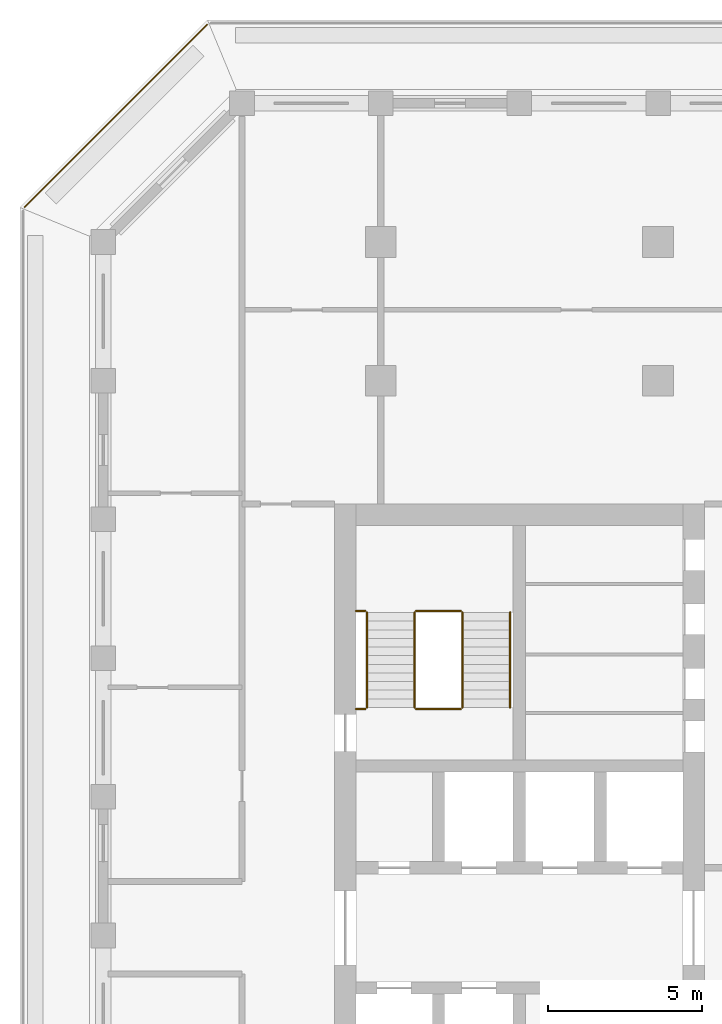
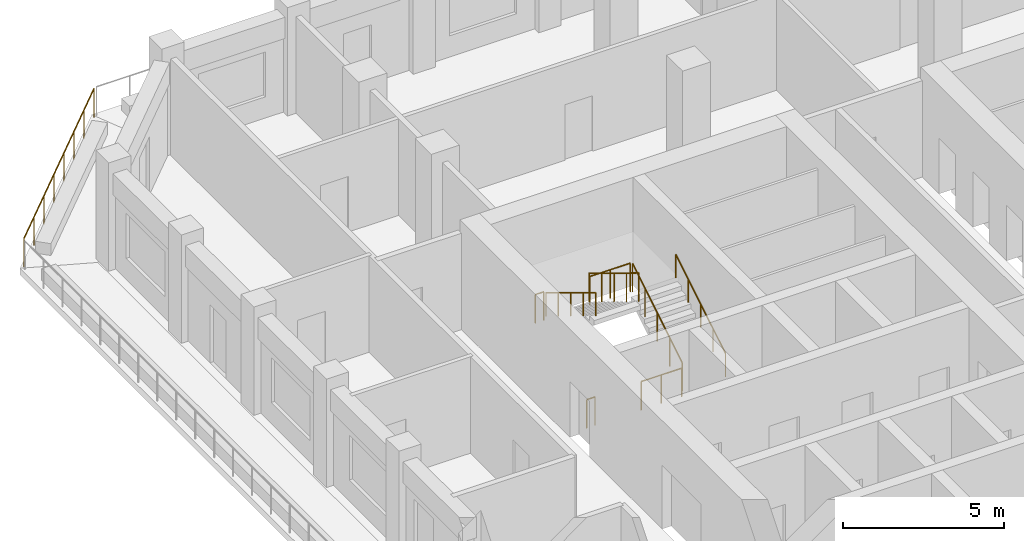
# One storey, part 14 of 17: 9 railings.
"""IFC4 building model written with IfcOpenShell, lengths in metres."""

from ifc_helpers import new_model, si_unit, direction, frame, origin, origin_2d, place, context, subcontext, project, spatial, circle, extrude, material, type_object, element, save


model = new_model("IFC4")

# Units and contexts
model_context = context("Model", 3, precision=1e-05, world=origin(), true_north=direction((0.0, 1.0)))
body_context = subcontext(model_context, "Body", "Model", "MODEL_VIEW")
ifc_project = project(units=[si_unit("LENGTHUNIT", "METRE"), si_unit("AREAUNIT", "SQUARE_METRE"), si_unit("VOLUMEUNIT", "CUBIC_METRE"), si_unit("PLANEANGLEUNIT", "RADIAN"), si_unit("MASSUNIT", "GRAM", prefix="KILO")], contexts=[model_context])

# Site, building, storey
site_placement = place(None, origin())
site = spatial("IfcSite", under=ifc_project, at=site_placement, CompositionType="ELEMENT")
building_placement = place(site_placement, origin())
building = spatial("IfcBuilding", under=site, at=building_placement, Name="Corbel Stack Research Tower", CompositionType="ELEMENT")
storey_placement = place(building_placement, frame((0.0, 0.0, 235.699951171875)))
storey = spatial("IfcBuildingStorey", under=building, at=storey_placement, Name="L53", CompositionType="ELEMENT", Elevation=235.699951171875)

# Railings
ifc_material_1 = material(Name="Steel S355", Category="steel")
railing_type_1 = type_object("IfcRailingType", Name="Stair guard 1100", PredefinedType="GUARDRAIL", material=ifc_material_1)
railing_1_placement = place(storey_placement, frame((-6.35009765625, 11.89990234375, 0.1708984375)))
element("IfcRailing", 1, at=railing_1_placement, inside=storey, type_object=railing_type_1, Name="L53 ST-W2 stair guard 1", PredefinedType="GUARDRAIL", context=body_context, shape_type="SweptSolid", body=[
    extrude(circle(Radius=0.02392578125, at=origin_2d()), frame((0.0, 0.0, 1.076171875), z_axis=(0.0, 0.853666305674, 0.52082035152), x_axis=(-1.0, 0.0, 0.0)), (0.0, 0.0, 1.0), 3.608154296875),
    extrude(circle(Radius=0.02099609375, at=origin_2d()), origin(), (0.0, 0.0, 1.0), 1.052001953125),
    extrude(circle(Radius=0.02099609375, at=origin_2d()), frame((0.0, 0.77001953125, 0.4697265625)), (0.0, 0.0, 1.0), 1.052001953125),
    extrude(circle(Radius=0.02099609375, at=origin_2d()), frame((0.0, 1.5400390625, 0.939453125)), (0.0, 0.0, 1.0), 1.052001953125),
    extrude(circle(Radius=0.02099609375, at=origin_2d()), frame((0.0, 2.31005859375, 1.409423828125)), (0.0, 0.0, 1.0), 1.052001953125),
    extrude(circle(Radius=0.02099609375, at=origin_2d()), frame((0.0, 3.080078125, 1.879150390625)), (0.0, 0.0, 1.0), 1.052001953125),
])
railing_2_placement = place(storey_placement, frame((-6.39990234375, 15.030029296875, 2.050048828125)))
element("IfcRailing", 2, at=railing_2_placement, inside=storey, type_object=railing_type_1, Name="L53 ST-W2 stair guard 2", PredefinedType="GUARDRAIL", context=body_context, shape_type="SweptSolid", body=[
    extrude(circle(Radius=0.02392578125, at=origin_2d()), frame((0.0, 0.0, 1.076171875), z_axis=(-1.0, 0.0, 0.0), x_axis=(0.0, -1.0, 0.0)), (0.0, 0.0, 1.0), 1.4501953125),
    extrude(circle(Radius=0.02099609375, at=origin_2d()), origin(), (0.0, 0.0, 1.0), 1.052001953125),
    extrude(circle(Radius=0.02099609375, at=origin_2d()), frame((-0.72509765625, 0.0, 0.0)), (0.0, 0.0, 1.0), 1.052001953125),
    extrude(circle(Radius=0.02099609375, at=origin_2d()), frame((-1.4501953125, 0.0, 0.0)), (0.0, 0.0, 1.0), 1.052001953125),
])
railing_3_placement = place(storey_placement, frame((-9.5, 15.030029296875, 2.050048828125)))
element("IfcRailing", 3, at=railing_3_placement, inside=storey, type_object=railing_type_1, Name="L53 ST-W2 stair guard 3", PredefinedType="GUARDRAIL", context=body_context, shape_type="SweptSolid", body=[
    extrude(circle(Radius=0.02392578125, at=origin_2d()), frame((0.0, 0.0, 1.076171875), z_axis=(-1.0, 0.0, 0.0), x_axis=(0.0, -1.0, 0.0)), (0.0, 0.0, 1.0), 0.300048828125),
    extrude(circle(Radius=0.02099609375, at=origin_2d()), origin(), (0.0, 0.0, 1.0), 1.052001953125),
    extrude(circle(Radius=0.02099609375, at=origin_2d()), frame((-0.300048828125, 0.0, 0.0)), (0.0, 0.0, 1.0), 1.052001953125),
])
railing_4_placement = place(storey_placement, frame((-7.89990234375, 14.97998046875, 2.220947265625)))
element("IfcRailing", 4, at=railing_4_placement, inside=storey, type_object=railing_type_1, Name="L53 ST-W2 stair guard 4", PredefinedType="GUARDRAIL", context=body_context, shape_type="SweptSolid", body=[
    extrude(circle(Radius=0.02392578125, at=origin_2d()), frame((0.0, 0.0, 1.076171875), z_axis=(0.0, -0.853666305674, 0.52082035152), x_axis=(1.0, 0.0, 0.0)), (0.0, 0.0, 1.0), 3.608154296875),
    extrude(circle(Radius=0.02099609375, at=origin_2d()), origin(), (0.0, 0.0, 1.0), 1.052001953125),
    extrude(circle(Radius=0.02099609375, at=origin_2d()), frame((0.0, -0.77001953125, 0.4697265625)), (0.0, 0.0, 1.0), 1.052001953125),
    extrude(circle(Radius=0.02099609375, at=origin_2d()), frame((0.0, -1.5400390625, 0.939453125)), (0.0, 0.0, 1.0), 1.052001953125),
    extrude(circle(Radius=0.02099609375, at=origin_2d()), frame((0.0, -2.31005859375, 1.409423828125)), (0.0, 0.0, 1.0), 1.052001953125),
    extrude(circle(Radius=0.02099609375, at=origin_2d()), frame((0.0, -3.080078125, 1.879150390625)), (0.0, 0.0, 1.0), 1.052001953125),
])
railing_5_placement = place(storey_placement, frame((-6.39990234375, 11.85009765625, 0.0)))
element("IfcRailing", 5, at=railing_5_placement, inside=storey, type_object=railing_type_1, Name="L53 ST-W2 stair guard 5", PredefinedType="GUARDRAIL", context=body_context, shape_type="SweptSolid", body=[
    extrude(circle(Radius=0.02392578125, at=origin_2d()), frame((0.0, 0.0, 1.076171875), z_axis=(-1.0, 0.0, 0.0), x_axis=(0.0, -1.0, 0.0)), (0.0, 0.0, 1.0), 1.4501953125),
    extrude(circle(Radius=0.02099609375, at=origin_2d()), origin(), (0.0, 0.0, 1.0), 1.052001953125),
    extrude(circle(Radius=0.02099609375, at=origin_2d()), frame((-0.72509765625, 0.0, 0.0)), (0.0, 0.0, 1.0), 1.052001953125),
    extrude(circle(Radius=0.02099609375, at=origin_2d()), frame((-1.4501953125, 0.0, 0.0)), (0.0, 0.0, 1.0), 1.052001953125),
])
railing_6_placement = place(storey_placement, frame((-9.5, 11.85009765625, 0.0)))
element("IfcRailing", 6, at=railing_6_placement, inside=storey, type_object=railing_type_1, Name="L53 ST-W2 stair guard 6", PredefinedType="GUARDRAIL", context=body_context, shape_type="SweptSolid", body=[
    extrude(circle(Radius=0.02392578125, at=origin_2d()), frame((0.0, 0.0, 1.076171875), z_axis=(-1.0, 0.0, 0.0), x_axis=(0.0, -1.0, 0.0)), (0.0, 0.0, 1.0), 0.300048828125),
    extrude(circle(Radius=0.02099609375, at=origin_2d()), origin(), (0.0, 0.0, 1.0), 1.052001953125),
    extrude(circle(Radius=0.02099609375, at=origin_2d()), frame((-0.300048828125, 0.0, 0.0)), (0.0, 0.0, 1.0), 1.052001953125),
])
ifc_material_2 = material(Name="Steel S355", Category="steel")
railing_type_2 = type_object("IfcRailingType", Name="Stair handrail 900", PredefinedType="HANDRAIL", material=ifc_material_2)
railing_7_placement = place(storey_placement, frame((-4.800048828125, 11.89990234375, 0.1708984375)))
element("IfcRailing", 7, at=railing_7_placement, inside=storey, type_object=railing_type_2, Name="L53 ST-W2 stair handrail 1", PredefinedType="HANDRAIL", context=body_context, shape_type="SweptSolid", body=[
    extrude(circle(Radius=0.02392578125, at=origin_2d()), frame((0.0, 0.0, 0.8759765625), z_axis=(0.0, 0.853666305674, 0.52082035152), x_axis=(-1.0, 0.0, 0.0)), (0.0, 0.0, 1.0), 3.608154296875),
    extrude(circle(Radius=0.02099609375, at=origin_2d()), origin(), (0.0, 0.0, 1.0), 0.851806640625),
    extrude(circle(Radius=0.02099609375, at=origin_2d()), frame((0.0, 0.77001953125, 0.4697265625)), (0.0, 0.0, 1.0), 0.851806640625),
    extrude(circle(Radius=0.02099609375, at=origin_2d()), frame((0.0, 1.5400390625, 0.939453125)), (0.0, 0.0, 1.0), 0.851806640625),
    extrude(circle(Radius=0.02099609375, at=origin_2d()), frame((0.0, 2.31005859375, 1.409423828125)), (0.0, 0.0, 1.0), 0.851806640625),
    extrude(circle(Radius=0.02099609375, at=origin_2d()), frame((0.0, 3.080078125, 1.879150390625)), (0.0, 0.0, 1.0), 0.851806640625),
])
railing_8_placement = place(storey_placement, frame((-9.449951171875, 14.97998046875, 2.220947265625)))
element("IfcRailing", 8, at=railing_8_placement, inside=storey, type_object=railing_type_2, Name="L53 ST-W2 stair handrail 2", PredefinedType="HANDRAIL", context=body_context, shape_type="SweptSolid", body=[
    extrude(circle(Radius=0.02392578125, at=origin_2d()), frame((0.0, 0.0, 0.8759765625), z_axis=(0.0, -0.853666305674, 0.52082035152), x_axis=(1.0, 0.0, 0.0)), (0.0, 0.0, 1.0), 3.608154296875),
    extrude(circle(Radius=0.02099609375, at=origin_2d()), origin(), (0.0, 0.0, 1.0), 0.851806640625),
    extrude(circle(Radius=0.02099609375, at=origin_2d()), frame((0.0, -0.77001953125, 0.4697265625)), (0.0, 0.0, 1.0), 0.851806640625),
    extrude(circle(Radius=0.02099609375, at=origin_2d()), frame((0.0, -1.5400390625, 0.939453125)), (0.0, 0.0, 1.0), 0.851806640625),
    extrude(circle(Radius=0.02099609375, at=origin_2d()), frame((0.0, -2.31005859375, 1.409423828125)), (0.0, 0.0, 1.0), 0.851806640625),
    extrude(circle(Radius=0.02099609375, at=origin_2d()), frame((0.0, -3.080078125, 1.879150390625)), (0.0, 0.0, 1.0), 0.851806640625),
])
ifc_material_3 = material(Name="Powder-coated steel guard", Category="steel")
railing_type_3 = type_object("IfcRailingType", Name="Steel and glass guard 1100", PredefinedType="GUARDRAIL", material=ifc_material_3)
railing_9_placement = place(storey_placement, frame((-14.627685546875, 34.04931640625, 0.0)))
element("IfcRailing", 9, at=railing_9_placement, inside=storey, type_object=railing_type_3, Name="Loggia guard L53 NW", PredefinedType="GUARDRAIL", context=body_context, shape_type="SweptSolid", body=[
    extrude(circle(Radius=0.02392578125, at=origin_2d()), frame((0.0, 0.0, 1.076171875), z_axis=(-0.707106781187, -0.707106781187, 0.0), x_axis=(0.707106781187, -0.707106781187, 0.0)), (0.0, 0.0, 1.0), 8.37451171875),
    extrude(circle(Radius=0.02099609375, at=origin_2d()), origin(), (0.0, 0.0, 1.0), 1.052001953125),
    extrude(circle(Radius=0.02099609375, at=origin_2d()), frame((-0.845947265625, -0.845947265625, 0.0)), (0.0, 0.0, 1.0), 1.052001953125),
    extrude(circle(Radius=0.02099609375, at=origin_2d()), frame((-1.69189453125, -1.69189453125, 0.0)), (0.0, 0.0, 1.0), 1.052001953125),
    extrude(circle(Radius=0.02099609375, at=origin_2d()), frame((-2.537841796875, -2.537841796875, 0.0)), (0.0, 0.0, 1.0), 1.052001953125),
    extrude(circle(Radius=0.02099609375, at=origin_2d()), frame((-3.3837890625, -3.3837890625, 0.0)), (0.0, 0.0, 1.0), 1.052001953125),
    extrude(circle(Radius=0.02099609375, at=origin_2d()), frame((-4.229736328125, -4.229736328125, 0.0)), (0.0, 0.0, 1.0), 1.052001953125),
    extrude(circle(Radius=0.02099609375, at=origin_2d()), frame((-5.07568359375, -5.07568359375, 0.0)), (0.0, 0.0, 1.0), 1.052001953125),
    extrude(circle(Radius=0.02099609375, at=origin_2d()), frame((-5.921630859375, -5.921630859375, 0.0)), (0.0, 0.0, 1.0), 1.052001953125),
])

save(model, "model.ifc")
